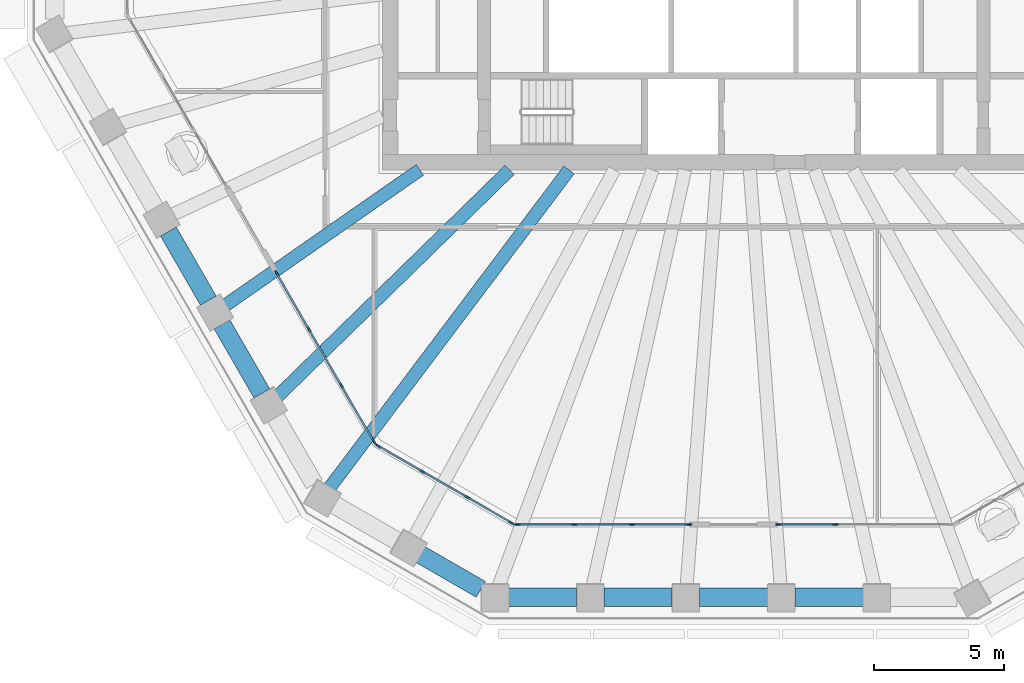
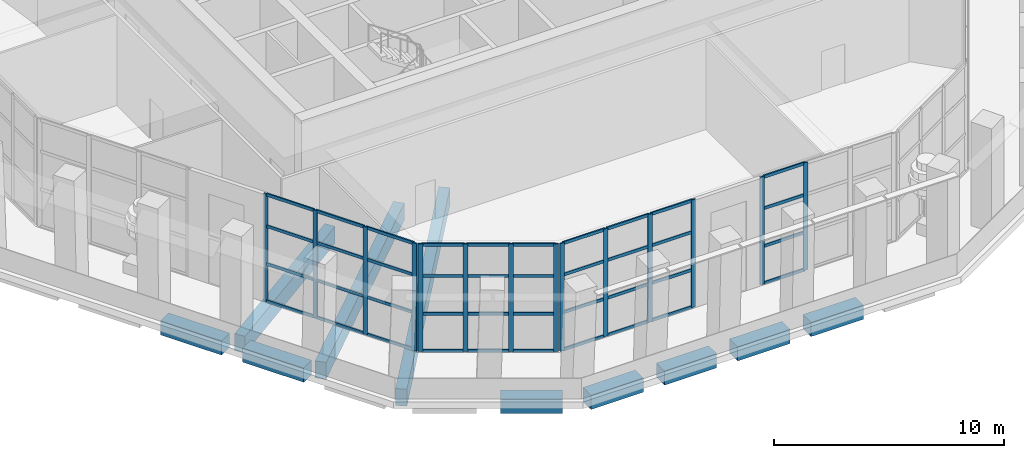
# One storey, part 2 of 19: 54 members, 10 beams, 4 elements without a shape of their own.
"""IFC4 building model written with IfcOpenShell, lengths in metres."""

from ifc_helpers import new_model, si_unit, direction, frame, origin, origin_2d, place, context, subcontext, project, spatial, rectangle, extrude, material, material_profile, profile_set, type_object, element, aggregate, save


model = new_model("IFC4")

# Units and contexts
model_context = context("Model", 3, precision=1e-05, world=origin(), true_north=direction((0.0, 1.0)))
body_context = subcontext(model_context, "Body", "Model", "MODEL_VIEW")
ifc_project = project(units=[si_unit("LENGTHUNIT", "METRE"), si_unit("AREAUNIT", "SQUARE_METRE"), si_unit("VOLUMEUNIT", "CUBIC_METRE"), si_unit("PLANEANGLEUNIT", "RADIAN"), si_unit("MASSUNIT", "GRAM", prefix="KILO")], contexts=[model_context])

# Site, building, storey
site_placement = place(None, origin())
site = spatial("IfcSite", under=ifc_project, at=site_placement, CompositionType="ELEMENT")
building_placement = place(site_placement, origin())
building = spatial("IfcBuilding", under=site, at=building_placement, Name="Frailejon Research Tower", CompositionType="ELEMENT")
storey_placement = place(building_placement, frame((0.0, 0.0, 231.39990234375)))
storey = spatial("IfcBuildingStorey", under=building, at=storey_placement, Name="L50", CompositionType="ELEMENT", Elevation=231.39990234375)

# Beams
ifc_material_1 = material(Name="Concrete C60/75", Category="concrete")
ifc_material_profile_1 = material_profile(ifc_material_1, rectangle(XDim=0.5, YDim=0.89990234375, at=origin_2d()), Name="Girder 500x900")
ifc_profile_set_1 = profile_set([ifc_material_profile_1], Name="Concrete C60/75")
beam_type_1 = type_object("IfcBeamType", Name="Girder 500x900", PredefinedType="BEAM", material=ifc_profile_set_1)
beam_1_placement = place(storey_placement, frame((-19.62060546875, -13.6650390625, -0.75), z_axis=(0.820584221604, 0.571525620821, 0.0), x_axis=(-0.571525620821, 0.820584221604, 0.0)))
element("IfcBeam", 1, at=beam_1_placement, inside=storey, type_object=beam_type_1, Name="Girder 500x900", PredefinedType="BEAM", context=body_context, shape_type="SweptSolid", body=[
    extrude(rectangle(XDim=0.5, YDim=0.89990234375, at=origin_2d()), origin(), (0.0, 0.0, 1.0), 9.21240234375),
])
beam_2_placement = place(storey_placement, frame((-17.59375, -17.16748046875, -0.75), z_axis=(0.71572694218, 0.698380228985, 0.0), x_axis=(-0.698380228985, 0.71572694218, 0.0)))
element("IfcBeam", 2, at=beam_2_placement, inside=storey, type_object=beam_type_1, Name="Girder 500x900", PredefinedType="BEAM", context=body_context, shape_type="SweptSolid", body=[
    extrude(rectangle(XDim=0.5, YDim=0.89990234375, at=origin_2d()), origin(), (0.0, 0.0, 1.0), 12.55419921875),
])
beam_3_placement = place(storey_placement, frame((-15.59033203125, -20.69921875, -0.75), z_axis=(0.601617333981, 0.798784441169, 0.0), x_axis=(-0.798784441169, 0.601617333981, 0.0)))
element("IfcBeam", 3, at=beam_3_placement, inside=storey, type_object=beam_type_1, Name="Girder 500x900", PredefinedType="BEAM", context=body_context, shape_type="SweptSolid", body=[
    extrude(rectangle(XDim=0.5, YDim=0.89990234375, at=origin_2d()), origin(), (0.0, 0.0, 1.0), 15.3974609375),
])

# Curtain wall, members
ifc_material_2 = material(Name="Aluminium curtain wall", Category="aluminium")
curtain_wall_type = type_object("IfcCurtainWallType", Name="Sky lobby curtain wall system", PredefinedType="NOTDEFINED", material=ifc_material_2)
curtain_wall_1_placement = place(storey_placement, origin())
curtain_wall_1 = element("IfcCurtainWall", 4, at=curtain_wall_1_placement, inside=storey, type_object=curtain_wall_type, Name="Curtain wall L50", PredefinedType="NOTDEFINED")
ifc_material_3 = material(Name="Aluminium extrusion", Category="aluminium")
ifc_material_profile_2 = material_profile(ifc_material_3, rectangle(XDim=0.070068359375, YDim=0.219970703125, at=origin_2d()), Name="Sky lobby curtain wall mullion 70x220")
ifc_profile_set_2 = profile_set([ifc_material_profile_2], Name="Aluminium extrusion")
member_type_1 = type_object("IfcMemberType", Name="Sky lobby curtain wall mullion 70x220", PredefinedType="MULLION", material=ifc_profile_set_2)
member_1_placement = place(storey_placement, frame((-17.5625, -12.380615234375, 0.0), z_axis=(0.0, 0.0, 1.0), x_axis=(0.866025100961, 0.500000524505, 0.0)))
member_1 = element("IfcMember", 5, at=member_1_placement, type_object=member_type_1, Name="CW4-110 mullion 1", PredefinedType="MULLION", context=body_context, shape_type="SweptSolid", body=[
    extrude(rectangle(XDim=0.070068359375, YDim=0.219970703125, at=origin_2d()), origin(), (0.0, 0.0, 1.0), 5.7001953125),
])
member_2_placement = place(storey_placement, frame((-16.326171875, -14.522216796875, 0.0), z_axis=(0.0, 0.0, 1.0), x_axis=(0.866025100961, 0.500000524505, 0.0)))
member_2 = element("IfcMember", 6, at=member_2_placement, type_object=member_type_1, Name="CW4-110 mullion 2", PredefinedType="MULLION", context=body_context, shape_type="SweptSolid", body=[
    extrude(rectangle(XDim=0.070068359375, YDim=0.219970703125, at=origin_2d()), origin(), (0.0, 0.0, 1.0), 5.7001953125),
])
member_3_placement = place(storey_placement, frame((-15.072509765625, -16.69384765625, 0.0), z_axis=(0.0, 0.0, 1.0), x_axis=(0.866025100961, 0.500000524505, 0.0)))
member_3 = element("IfcMember", 7, at=member_3_placement, type_object=member_type_1, Name="CW4-110 mullion 3", PredefinedType="MULLION", context=body_context, shape_type="SweptSolid", body=[
    extrude(rectangle(XDim=0.070068359375, YDim=0.219970703125, at=origin_2d()), origin(), (0.0, 0.0, 1.0), 5.7001953125),
])
member_4_placement = place(storey_placement, frame((-13.836181640625, -18.835205078125, 0.0), z_axis=(0.0, 0.0, 1.0), x_axis=(0.866025100961, 0.500000524505, 0.0)))
member_4 = element("IfcMember", 8, at=member_4_placement, type_object=member_type_1, Name="CW4-110 mullion 4", PredefinedType="MULLION", context=body_context, shape_type="SweptSolid", body=[
    extrude(rectangle(XDim=0.070068359375, YDim=0.219970703125, at=origin_2d()), origin(), (0.0, 0.0, 1.0), 5.7001953125),
])

curtain_wall_2_placement = place(storey_placement, origin())
curtain_wall_2 = element("IfcCurtainWall", 9, at=curtain_wall_2_placement, inside=storey, type_object=curtain_wall_type, Name="Curtain wall L50", PredefinedType="NOTDEFINED")
member_5_placement = place(storey_placement, frame((-13.651611328125, -19.01953125, 0.0), z_axis=(0.0, 0.0, 1.0), x_axis=(0.499990981974, 0.866030610282, 0.0)))
member_5 = element("IfcMember", 10, at=member_5_placement, type_object=member_type_1, Name="CW4-111 mullion 1", PredefinedType="MULLION", context=body_context, shape_type="SweptSolid", body=[
    extrude(rectangle(XDim=0.070068359375, YDim=0.219970703125, at=origin_2d()), origin(), (0.0, 0.0, 1.0), 5.7001953125),
])
member_6_placement = place(storey_placement, frame((-11.963623046875, -19.994140625, 0.0), z_axis=(0.0, 0.0, 1.0), x_axis=(0.499990981974, 0.866030610282, 0.0)))
member_6 = element("IfcMember", 11, at=member_6_placement, type_object=member_type_1, Name="CW4-111 mullion 2", PredefinedType="MULLION", context=body_context, shape_type="SweptSolid", body=[
    extrude(rectangle(XDim=0.070068359375, YDim=0.219970703125, at=origin_2d()), origin(), (0.0, 0.0, 1.0), 5.7001953125),
])
member_7_placement = place(storey_placement, frame((-10.2451171875, -20.986328125, 0.0), z_axis=(0.0, 0.0, 1.0), x_axis=(0.499990981974, 0.866030610282, 0.0)))
member_7 = element("IfcMember", 12, at=member_7_placement, type_object=member_type_1, Name="CW4-111 mullion 3", PredefinedType="MULLION", context=body_context, shape_type="SweptSolid", body=[
    extrude(rectangle(XDim=0.070068359375, YDim=0.219970703125, at=origin_2d()), origin(), (0.0, 0.0, 1.0), 5.7001953125),
])
member_8_placement = place(storey_placement, frame((-8.556884765625, -21.9609375, 0.0), z_axis=(0.0, 0.0, 1.0), x_axis=(0.499990981974, 0.866030610282, 0.0)))
member_8 = element("IfcMember", 13, at=member_8_placement, type_object=member_type_1, Name="CW4-111 mullion 4", PredefinedType="MULLION", context=body_context, shape_type="SweptSolid", body=[
    extrude(rectangle(XDim=0.070068359375, YDim=0.219970703125, at=origin_2d()), origin(), (0.0, 0.0, 1.0), 5.7001953125),
])

curtain_wall_3_placement = place(storey_placement, origin())
curtain_wall_3 = element("IfcCurtainWall", 14, at=curtain_wall_3_placement, inside=storey, type_object=curtain_wall_type, Name="Curtain wall L50", PredefinedType="NOTDEFINED")
member_9_placement = place(storey_placement, frame((-8.304931640625, -22.028564453125, 0.0), z_axis=(0.0, 0.0, 1.0), x_axis=(0.0, 1.0, 0.0)))
member_9 = element("IfcMember", 15, at=member_9_placement, type_object=member_type_1, Name="CW4-112 mullion 1", PredefinedType="MULLION", context=body_context, shape_type="SweptSolid", body=[
    extrude(rectangle(XDim=0.070068359375, YDim=0.219970703125, at=origin_2d()), origin(), (0.0, 0.0, 1.0), 5.7001953125),
])
member_10_placement = place(storey_placement, frame((-6.12255859375, -22.028564453125, 0.0), z_axis=(0.0, 0.0, 1.0), x_axis=(0.0, 1.0, 0.0)))
member_10 = element("IfcMember", 16, at=member_10_placement, type_object=member_type_1, Name="CW4-112 mullion 2", PredefinedType="MULLION", context=body_context, shape_type="SweptSolid", body=[
    extrude(rectangle(XDim=0.070068359375, YDim=0.219970703125, at=origin_2d()), origin(), (0.0, 0.0, 1.0), 5.7001953125),
])
member_11_placement = place(storey_placement, frame((-3.9052734375, -22.028564453125, 0.0), z_axis=(0.0, 0.0, 1.0), x_axis=(0.0, 1.0, 0.0)))
member_11 = element("IfcMember", 17, at=member_11_placement, type_object=member_type_1, Name="CW4-112 mullion 3", PredefinedType="MULLION", context=body_context, shape_type="SweptSolid", body=[
    extrude(rectangle(XDim=0.070068359375, YDim=0.219970703125, at=origin_2d()), origin(), (0.0, 0.0, 1.0), 5.7001953125),
])
member_12_placement = place(storey_placement, frame((-1.722900390625, -22.028564453125, 0.0), z_axis=(0.0, 0.0, 1.0), x_axis=(0.0, 1.0, 0.0)))
member_12 = element("IfcMember", 18, at=member_12_placement, type_object=member_type_1, Name="CW4-112 mullion 4", PredefinedType="MULLION", context=body_context, shape_type="SweptSolid", body=[
    extrude(rectangle(XDim=0.070068359375, YDim=0.219970703125, at=origin_2d()), origin(), (0.0, 0.0, 1.0), 5.7001953125),
])

curtain_wall_4_placement = place(storey_placement, origin())
curtain_wall_4 = element("IfcCurtainWall", 19, at=curtain_wall_4_placement, inside=storey, type_object=curtain_wall_type, Name="Curtain wall L50", PredefinedType="NOTDEFINED")
member_13_placement = place(storey_placement, frame((1.722900390625, -22.028564453125, 0.0), z_axis=(0.0, 0.0, 1.0), x_axis=(0.0, 1.0, 0.0)))
member_13 = element("IfcMember", 20, at=member_13_placement, type_object=member_type_1, Name="CW4-113 mullion 1", PredefinedType="MULLION", context=body_context, shape_type="SweptSolid", body=[
    extrude(rectangle(XDim=0.070068359375, YDim=0.219970703125, at=origin_2d()), origin(), (0.0, 0.0, 1.0), 5.7001953125),
])
member_14_placement = place(storey_placement, frame((3.9052734375, -22.028564453125, 0.0), z_axis=(0.0, 0.0, 1.0), x_axis=(0.0, 1.0, 0.0)))
member_14 = element("IfcMember", 21, at=member_14_placement, type_object=member_type_1, Name="CW4-113 mullion 2", PredefinedType="MULLION", context=body_context, shape_type="SweptSolid", body=[
    extrude(rectangle(XDim=0.070068359375, YDim=0.219970703125, at=origin_2d()), origin(), (0.0, 0.0, 1.0), 5.7001953125),
])

# Member
ifc_material_4 = material(Name="Aluminium extrusion", Category="aluminium")
ifc_material_profile_3 = material_profile(ifc_material_4, rectangle(XDim=0.070068359375, YDim=0.159912109375, at=origin_2d()), Name="Sky lobby curtain wall transom 70x160")
ifc_profile_set_3 = profile_set([ifc_material_profile_3], Name="Aluminium extrusion")
member_type_2 = type_object("IfcMemberType", Name="Sky lobby curtain wall transom 70x160", PredefinedType="USERDEFINED", material=ifc_profile_set_3)
member_15_placement = place(storey_placement, frame((-17.545166015625, -12.4111328125, 0.03515625), z_axis=(0.500062570482, -0.865989275686, 0.0), x_axis=(0.865989275686, 0.500062570482, 0.0)))
member_15 = element("IfcMember", 22, at=member_15_placement, type_object=member_type_2, Name="CW4-110 transom 1.1", ObjectType="TRANSOM", PredefinedType="USERDEFINED", context=body_context, shape_type="SweptSolid", body=[
    extrude(rectangle(XDim=0.070068359375, YDim=0.159912109375, at=origin_2d()), origin(), (0.0, 0.0, 1.0), 2.402587890625),
])

member_16_placement = place(storey_placement, frame((-17.545166015625, -12.4111328125, 2.0), z_axis=(0.500062570482, -0.865989275686, 0.0), x_axis=(0.865989275686, 0.500062570482, 0.0)))
member_16 = element("IfcMember", 23, at=member_16_placement, type_object=member_type_2, Name="CW4-110 transom 1.2", ObjectType="TRANSOM", PredefinedType="USERDEFINED", context=body_context, shape_type="SweptSolid", body=[
    extrude(rectangle(XDim=0.070068359375, YDim=0.159912109375, at=origin_2d()), origin(), (0.0, 0.0, 1.0), 2.402587890625),
])

member_17_placement = place(storey_placement, frame((-17.545166015625, -12.4111328125, 4.0), z_axis=(0.500062570482, -0.865989275686, 0.0), x_axis=(0.865989275686, 0.500062570482, 0.0)))
member_17 = element("IfcMember", 24, at=member_17_placement, type_object=member_type_2, Name="CW4-110 transom 1.3", ObjectType="TRANSOM", PredefinedType="USERDEFINED", context=body_context, shape_type="SweptSolid", body=[
    extrude(rectangle(XDim=0.070068359375, YDim=0.159912109375, at=origin_2d()), origin(), (0.0, 0.0, 1.0), 2.402587890625),
])

member_18_placement = place(storey_placement, frame((-17.545166015625, -12.4111328125, 5.6650390625), z_axis=(0.500062570482, -0.865989275686, 0.0), x_axis=(0.865989275686, 0.500062570482, 0.0)))
member_18 = element("IfcMember", 25, at=member_18_placement, type_object=member_type_2, Name="CW4-110 transom 1.4", ObjectType="TRANSOM", PredefinedType="USERDEFINED", context=body_context, shape_type="SweptSolid", body=[
    extrude(rectangle(XDim=0.070068359375, YDim=0.159912109375, at=origin_2d()), origin(), (0.0, 0.0, 1.0), 2.402587890625),
])

member_19_placement = place(storey_placement, frame((-16.308837890625, -14.552490234375, 0.03515625), z_axis=(0.500048989253, -0.865997117979, 0.0), x_axis=(0.865997117979, 0.500048989253, 0.0)))
member_19 = element("IfcMember", 26, at=member_19_placement, type_object=member_type_2, Name="CW4-110 transom 2.1", ObjectType="TRANSOM", PredefinedType="USERDEFINED", context=body_context, shape_type="SweptSolid", body=[
    extrude(rectangle(XDim=0.070068359375, YDim=0.159912109375, at=origin_2d()), origin(), (0.0, 0.0, 1.0), 2.437744140625),
])

member_20_placement = place(storey_placement, frame((-16.308837890625, -14.552490234375, 2.0), z_axis=(0.500048989253, -0.865997117979, 0.0), x_axis=(0.865997117979, 0.500048989253, 0.0)))
member_20 = element("IfcMember", 27, at=member_20_placement, type_object=member_type_2, Name="CW4-110 transom 2.2", ObjectType="TRANSOM", PredefinedType="USERDEFINED", context=body_context, shape_type="SweptSolid", body=[
    extrude(rectangle(XDim=0.070068359375, YDim=0.159912109375, at=origin_2d()), origin(), (0.0, 0.0, 1.0), 2.437744140625),
])

member_21_placement = place(storey_placement, frame((-16.308837890625, -14.552490234375, 4.0), z_axis=(0.500048989253, -0.865997117979, 0.0), x_axis=(0.865997117979, 0.500048989253, 0.0)))
member_21 = element("IfcMember", 28, at=member_21_placement, type_object=member_type_2, Name="CW4-110 transom 2.3", ObjectType="TRANSOM", PredefinedType="USERDEFINED", context=body_context, shape_type="SweptSolid", body=[
    extrude(rectangle(XDim=0.070068359375, YDim=0.159912109375, at=origin_2d()), origin(), (0.0, 0.0, 1.0), 2.437744140625),
])

member_22_placement = place(storey_placement, frame((-16.308837890625, -14.552490234375, 5.6650390625), z_axis=(0.500048989253, -0.865997117979, 0.0), x_axis=(0.865997117979, 0.500048989253, 0.0)))
member_22 = element("IfcMember", 29, at=member_22_placement, type_object=member_type_2, Name="CW4-110 transom 2.4", ObjectType="TRANSOM", PredefinedType="USERDEFINED", context=body_context, shape_type="SweptSolid", body=[
    extrude(rectangle(XDim=0.070068359375, YDim=0.159912109375, at=origin_2d()), origin(), (0.0, 0.0, 1.0), 2.437744140625),
])

member_23_placement = place(storey_placement, frame((-15.054931640625, -16.72412109375, 0.03515625), z_axis=(0.500018568119, -0.86601468321, 0.0), x_axis=(0.86601468321, 0.500018568119, 0.0)))
member_23 = element("IfcMember", 30, at=member_23_placement, type_object=member_type_2, Name="CW4-110 transom 3.1", ObjectType="TRANSOM", PredefinedType="USERDEFINED", context=body_context, shape_type="SweptSolid", body=[
    extrude(rectangle(XDim=0.070068359375, YDim=0.159912109375, at=origin_2d()), origin(), (0.0, 0.0, 1.0), 2.40283203125),
])

member_24_placement = place(storey_placement, frame((-15.054931640625, -16.72412109375, 2.0), z_axis=(0.500018568119, -0.86601468321, 0.0), x_axis=(0.86601468321, 0.500018568119, 0.0)))
member_24 = element("IfcMember", 31, at=member_24_placement, type_object=member_type_2, Name="CW4-110 transom 3.2", ObjectType="TRANSOM", PredefinedType="USERDEFINED", context=body_context, shape_type="SweptSolid", body=[
    extrude(rectangle(XDim=0.070068359375, YDim=0.159912109375, at=origin_2d()), origin(), (0.0, 0.0, 1.0), 2.40283203125),
])

member_25_placement = place(storey_placement, frame((-15.054931640625, -16.72412109375, 4.0), z_axis=(0.500018568119, -0.86601468321, 0.0), x_axis=(0.86601468321, 0.500018568119, 0.0)))
member_25 = element("IfcMember", 32, at=member_25_placement, type_object=member_type_2, Name="CW4-110 transom 3.3", ObjectType="TRANSOM", PredefinedType="USERDEFINED", context=body_context, shape_type="SweptSolid", body=[
    extrude(rectangle(XDim=0.070068359375, YDim=0.159912109375, at=origin_2d()), origin(), (0.0, 0.0, 1.0), 2.40283203125),
])

member_26_placement = place(storey_placement, frame((-15.054931640625, -16.72412109375, 5.6650390625), z_axis=(0.500018568119, -0.86601468321, 0.0), x_axis=(0.86601468321, 0.500018568119, 0.0)))
member_26 = element("IfcMember", 33, at=member_26_placement, type_object=member_type_2, Name="CW4-110 transom 3.4", ObjectType="TRANSOM", PredefinedType="USERDEFINED", context=body_context, shape_type="SweptSolid", body=[
    extrude(rectangle(XDim=0.070068359375, YDim=0.159912109375, at=origin_2d()), origin(), (0.0, 0.0, 1.0), 2.40283203125),
])

aggregate(curtain_wall_1, [member_1, member_2, member_3, member_4, member_15, member_16, member_17, member_18, member_19, member_20, member_21, member_22, member_23, member_24, member_25, member_26])

member_27_placement = place(storey_placement, frame((-13.621337890625, -19.037109375, 0.03515625), z_axis=(0.866003851672, -0.500037327496, 0.0), x_axis=(0.500037327496, 0.866003851672, 0.0)))
member_27 = element("IfcMember", 34, at=member_27_placement, type_object=member_type_2, Name="CW4-111 transom 1.1", ObjectType="TRANSOM", PredefinedType="USERDEFINED", context=body_context, shape_type="SweptSolid", body=[
    extrude(rectangle(XDim=0.070068359375, YDim=0.159912109375, at=origin_2d()), origin(), (0.0, 0.0, 1.0), 1.879150390625),
])

member_28_placement = place(storey_placement, frame((-13.621337890625, -19.037109375, 2.0), z_axis=(0.866003851672, -0.500037327496, 0.0), x_axis=(0.500037327496, 0.866003851672, 0.0)))
member_28 = element("IfcMember", 35, at=member_28_placement, type_object=member_type_2, Name="CW4-111 transom 1.2", ObjectType="TRANSOM", PredefinedType="USERDEFINED", context=body_context, shape_type="SweptSolid", body=[
    extrude(rectangle(XDim=0.070068359375, YDim=0.159912109375, at=origin_2d()), origin(), (0.0, 0.0, 1.0), 1.879150390625),
])

member_29_placement = place(storey_placement, frame((-13.621337890625, -19.037109375, 4.0), z_axis=(0.866003851672, -0.500037327496, 0.0), x_axis=(0.500037327496, 0.866003851672, 0.0)))
member_29 = element("IfcMember", 36, at=member_29_placement, type_object=member_type_2, Name="CW4-111 transom 1.3", ObjectType="TRANSOM", PredefinedType="USERDEFINED", context=body_context, shape_type="SweptSolid", body=[
    extrude(rectangle(XDim=0.070068359375, YDim=0.159912109375, at=origin_2d()), origin(), (0.0, 0.0, 1.0), 1.879150390625),
])

member_30_placement = place(storey_placement, frame((-13.621337890625, -19.037109375, 5.6650390625), z_axis=(0.866003851672, -0.500037327496, 0.0), x_axis=(0.500037327496, 0.866003851672, 0.0)))
member_30 = element("IfcMember", 37, at=member_30_placement, type_object=member_type_2, Name="CW4-111 transom 1.4", ObjectType="TRANSOM", PredefinedType="USERDEFINED", context=body_context, shape_type="SweptSolid", body=[
    extrude(rectangle(XDim=0.070068359375, YDim=0.159912109375, at=origin_2d()), origin(), (0.0, 0.0, 1.0), 1.879150390625),
])

member_31_placement = place(storey_placement, frame((-11.93310546875, -20.01171875, 0.03515625), z_axis=(0.866036909293, -0.499980071345, 0.0), x_axis=(0.499980071345, 0.866036909293, 0.0)))
member_31 = element("IfcMember", 38, at=member_31_placement, type_object=member_type_2, Name="CW4-111 transom 2.1", ObjectType="TRANSOM", PredefinedType="USERDEFINED", context=body_context, shape_type="SweptSolid", body=[
    extrude(rectangle(XDim=0.070068359375, YDim=0.159912109375, at=origin_2d()), origin(), (0.0, 0.0, 1.0), 1.9140625),
])

member_32_placement = place(storey_placement, frame((-11.93310546875, -20.01171875, 2.0), z_axis=(0.866036909293, -0.499980071345, 0.0), x_axis=(0.499980071345, 0.866036909293, 0.0)))
member_32 = element("IfcMember", 39, at=member_32_placement, type_object=member_type_2, Name="CW4-111 transom 2.2", ObjectType="TRANSOM", PredefinedType="USERDEFINED", context=body_context, shape_type="SweptSolid", body=[
    extrude(rectangle(XDim=0.070068359375, YDim=0.159912109375, at=origin_2d()), origin(), (0.0, 0.0, 1.0), 1.9140625),
])

member_33_placement = place(storey_placement, frame((-11.93310546875, -20.01171875, 4.0), z_axis=(0.866036909293, -0.499980071345, 0.0), x_axis=(0.499980071345, 0.866036909293, 0.0)))
member_33 = element("IfcMember", 40, at=member_33_placement, type_object=member_type_2, Name="CW4-111 transom 2.3", ObjectType="TRANSOM", PredefinedType="USERDEFINED", context=body_context, shape_type="SweptSolid", body=[
    extrude(rectangle(XDim=0.070068359375, YDim=0.159912109375, at=origin_2d()), origin(), (0.0, 0.0, 1.0), 1.9140625),
])

member_34_placement = place(storey_placement, frame((-11.93310546875, -20.01171875, 5.6650390625), z_axis=(0.866036909293, -0.499980071345, 0.0), x_axis=(0.499980071345, 0.866036909293, 0.0)))
member_34 = element("IfcMember", 41, at=member_34_placement, type_object=member_type_2, Name="CW4-111 transom 2.4", ObjectType="TRANSOM", PredefinedType="USERDEFINED", context=body_context, shape_type="SweptSolid", body=[
    extrude(rectangle(XDim=0.070068359375, YDim=0.159912109375, at=origin_2d()), origin(), (0.0, 0.0, 1.0), 1.9140625),
])

member_35_placement = place(storey_placement, frame((-10.21484375, -21.00390625, 0.03515625), z_axis=(0.866036329433, -0.499981075744, 0.0), x_axis=(0.499981075744, 0.866036329433, 0.0)))
member_35 = element("IfcMember", 42, at=member_35_placement, type_object=member_type_2, Name="CW4-111 transom 3.1", ObjectType="TRANSOM", PredefinedType="USERDEFINED", context=body_context, shape_type="SweptSolid", body=[
    extrude(rectangle(XDim=0.070068359375, YDim=0.159912109375, at=origin_2d()), origin(), (0.0, 0.0, 1.0), 1.87939453125),
])

member_36_placement = place(storey_placement, frame((-10.21484375, -21.00390625, 2.0), z_axis=(0.866036329433, -0.499981075744, 0.0), x_axis=(0.499981075744, 0.866036329433, 0.0)))
member_36 = element("IfcMember", 43, at=member_36_placement, type_object=member_type_2, Name="CW4-111 transom 3.2", ObjectType="TRANSOM", PredefinedType="USERDEFINED", context=body_context, shape_type="SweptSolid", body=[
    extrude(rectangle(XDim=0.070068359375, YDim=0.159912109375, at=origin_2d()), origin(), (0.0, 0.0, 1.0), 1.87939453125),
])

member_37_placement = place(storey_placement, frame((-10.21484375, -21.00390625, 4.0), z_axis=(0.866036329433, -0.499981075744, 0.0), x_axis=(0.499981075744, 0.866036329433, 0.0)))
member_37 = element("IfcMember", 44, at=member_37_placement, type_object=member_type_2, Name="CW4-111 transom 3.3", ObjectType="TRANSOM", PredefinedType="USERDEFINED", context=body_context, shape_type="SweptSolid", body=[
    extrude(rectangle(XDim=0.070068359375, YDim=0.159912109375, at=origin_2d()), origin(), (0.0, 0.0, 1.0), 1.87939453125),
])

member_38_placement = place(storey_placement, frame((-10.21484375, -21.00390625, 5.6650390625), z_axis=(0.866036329433, -0.499981075744, 0.0), x_axis=(0.499981075744, 0.866036329433, 0.0)))
member_38 = element("IfcMember", 45, at=member_38_placement, type_object=member_type_2, Name="CW4-111 transom 3.4", ObjectType="TRANSOM", PredefinedType="USERDEFINED", context=body_context, shape_type="SweptSolid", body=[
    extrude(rectangle(XDim=0.070068359375, YDim=0.159912109375, at=origin_2d()), origin(), (0.0, 0.0, 1.0), 1.87939453125),
])

aggregate(curtain_wall_2, [member_5, member_6, member_7, member_8, member_27, member_28, member_29, member_30, member_31, member_32, member_33, member_34, member_35, member_36, member_37, member_38])

member_39_placement = place(storey_placement, frame((-8.27001953125, -22.028564453125, 0.03515625), z_axis=(1.0, 0.0, 0.0), x_axis=(0.0, 1.0, 0.0)))
member_39 = element("IfcMember", 46, at=member_39_placement, type_object=member_type_2, Name="CW4-112 transom 1.1", ObjectType="TRANSOM", PredefinedType="USERDEFINED", context=body_context, shape_type="SweptSolid", body=[
    extrude(rectangle(XDim=0.070068359375, YDim=0.159912109375, at=origin_2d()), origin(), (0.0, 0.0, 1.0), 2.1123046875),
])

member_40_placement = place(storey_placement, frame((-8.27001953125, -22.028564453125, 2.0), z_axis=(1.0, 0.0, 0.0), x_axis=(0.0, 1.0, 0.0)))
member_40 = element("IfcMember", 47, at=member_40_placement, type_object=member_type_2, Name="CW4-112 transom 1.2", ObjectType="TRANSOM", PredefinedType="USERDEFINED", context=body_context, shape_type="SweptSolid", body=[
    extrude(rectangle(XDim=0.070068359375, YDim=0.159912109375, at=origin_2d()), origin(), (0.0, 0.0, 1.0), 2.1123046875),
])

member_41_placement = place(storey_placement, frame((-8.27001953125, -22.028564453125, 4.0), z_axis=(1.0, 0.0, 0.0), x_axis=(0.0, 1.0, 0.0)))
member_41 = element("IfcMember", 48, at=member_41_placement, type_object=member_type_2, Name="CW4-112 transom 1.3", ObjectType="TRANSOM", PredefinedType="USERDEFINED", context=body_context, shape_type="SweptSolid", body=[
    extrude(rectangle(XDim=0.070068359375, YDim=0.159912109375, at=origin_2d()), origin(), (0.0, 0.0, 1.0), 2.1123046875),
])

member_42_placement = place(storey_placement, frame((-8.27001953125, -22.028564453125, 5.6650390625), z_axis=(1.0, 0.0, 0.0), x_axis=(0.0, 1.0, 0.0)))
member_42 = element("IfcMember", 49, at=member_42_placement, type_object=member_type_2, Name="CW4-112 transom 1.4", ObjectType="TRANSOM", PredefinedType="USERDEFINED", context=body_context, shape_type="SweptSolid", body=[
    extrude(rectangle(XDim=0.070068359375, YDim=0.159912109375, at=origin_2d()), origin(), (0.0, 0.0, 1.0), 2.1123046875),
])

member_43_placement = place(storey_placement, frame((-6.087646484375, -22.028564453125, 0.03515625), z_axis=(1.0, 0.0, 0.0), x_axis=(0.0, 1.0, 0.0)))
member_43 = element("IfcMember", 50, at=member_43_placement, type_object=member_type_2, Name="CW4-112 transom 2.1", ObjectType="TRANSOM", PredefinedType="USERDEFINED", context=body_context, shape_type="SweptSolid", body=[
    extrude(rectangle(XDim=0.070068359375, YDim=0.159912109375, at=origin_2d()), origin(), (0.0, 0.0, 1.0), 2.147216796875),
])

member_44_placement = place(storey_placement, frame((-6.087646484375, -22.028564453125, 2.0), z_axis=(1.0, 0.0, 0.0), x_axis=(0.0, 1.0, 0.0)))
member_44 = element("IfcMember", 51, at=member_44_placement, type_object=member_type_2, Name="CW4-112 transom 2.2", ObjectType="TRANSOM", PredefinedType="USERDEFINED", context=body_context, shape_type="SweptSolid", body=[
    extrude(rectangle(XDim=0.070068359375, YDim=0.159912109375, at=origin_2d()), origin(), (0.0, 0.0, 1.0), 2.147216796875),
])

member_45_placement = place(storey_placement, frame((-6.087646484375, -22.028564453125, 4.0), z_axis=(1.0, 0.0, 0.0), x_axis=(0.0, 1.0, 0.0)))
member_45 = element("IfcMember", 52, at=member_45_placement, type_object=member_type_2, Name="CW4-112 transom 2.3", ObjectType="TRANSOM", PredefinedType="USERDEFINED", context=body_context, shape_type="SweptSolid", body=[
    extrude(rectangle(XDim=0.070068359375, YDim=0.159912109375, at=origin_2d()), origin(), (0.0, 0.0, 1.0), 2.147216796875),
])

member_46_placement = place(storey_placement, frame((-6.087646484375, -22.028564453125, 5.6650390625), z_axis=(1.0, 0.0, 0.0), x_axis=(0.0, 1.0, 0.0)))
member_46 = element("IfcMember", 53, at=member_46_placement, type_object=member_type_2, Name="CW4-112 transom 2.4", ObjectType="TRANSOM", PredefinedType="USERDEFINED", context=body_context, shape_type="SweptSolid", body=[
    extrude(rectangle(XDim=0.070068359375, YDim=0.159912109375, at=origin_2d()), origin(), (0.0, 0.0, 1.0), 2.147216796875),
])

member_47_placement = place(storey_placement, frame((-3.870361328125, -22.028564453125, 0.03515625), z_axis=(1.0, 0.0, 0.0), x_axis=(0.0, 1.0, 0.0)))
member_47 = element("IfcMember", 54, at=member_47_placement, type_object=member_type_2, Name="CW4-112 transom 3.1", ObjectType="TRANSOM", PredefinedType="USERDEFINED", context=body_context, shape_type="SweptSolid", body=[
    extrude(rectangle(XDim=0.070068359375, YDim=0.159912109375, at=origin_2d()), origin(), (0.0, 0.0, 1.0), 2.1123046875),
])

member_48_placement = place(storey_placement, frame((-3.870361328125, -22.028564453125, 2.0), z_axis=(1.0, 0.0, 0.0), x_axis=(0.0, 1.0, 0.0)))
member_48 = element("IfcMember", 55, at=member_48_placement, type_object=member_type_2, Name="CW4-112 transom 3.2", ObjectType="TRANSOM", PredefinedType="USERDEFINED", context=body_context, shape_type="SweptSolid", body=[
    extrude(rectangle(XDim=0.070068359375, YDim=0.159912109375, at=origin_2d()), origin(), (0.0, 0.0, 1.0), 2.1123046875),
])

member_49_placement = place(storey_placement, frame((-3.870361328125, -22.028564453125, 4.0), z_axis=(1.0, 0.0, 0.0), x_axis=(0.0, 1.0, 0.0)))
member_49 = element("IfcMember", 56, at=member_49_placement, type_object=member_type_2, Name="CW4-112 transom 3.3", ObjectType="TRANSOM", PredefinedType="USERDEFINED", context=body_context, shape_type="SweptSolid", body=[
    extrude(rectangle(XDim=0.070068359375, YDim=0.159912109375, at=origin_2d()), origin(), (0.0, 0.0, 1.0), 2.1123046875),
])

member_50_placement = place(storey_placement, frame((-3.870361328125, -22.028564453125, 5.6650390625), z_axis=(1.0, 0.0, 0.0), x_axis=(0.0, 1.0, 0.0)))
member_50 = element("IfcMember", 57, at=member_50_placement, type_object=member_type_2, Name="CW4-112 transom 3.4", ObjectType="TRANSOM", PredefinedType="USERDEFINED", context=body_context, shape_type="SweptSolid", body=[
    extrude(rectangle(XDim=0.070068359375, YDim=0.159912109375, at=origin_2d()), origin(), (0.0, 0.0, 1.0), 2.1123046875),
])

aggregate(curtain_wall_3, [member_9, member_10, member_11, member_12, member_39, member_40, member_41, member_42, member_43, member_44, member_45, member_46, member_47, member_48, member_49, member_50])

member_51_placement = place(storey_placement, frame((1.758056640625, -22.028564453125, 0.03515625), z_axis=(1.0, 0.0, 0.0), x_axis=(0.0, 1.0, 0.0)))
member_51 = element("IfcMember", 58, at=member_51_placement, type_object=member_type_2, Name="CW4-113 transom 1.1", ObjectType="TRANSOM", PredefinedType="USERDEFINED", context=body_context, shape_type="SweptSolid", body=[
    extrude(rectangle(XDim=0.070068359375, YDim=0.159912109375, at=origin_2d()), origin(), (0.0, 0.0, 1.0), 2.1123046875),
])

member_52_placement = place(storey_placement, frame((1.758056640625, -22.028564453125, 2.0), z_axis=(1.0, 0.0, 0.0), x_axis=(0.0, 1.0, 0.0)))
member_52 = element("IfcMember", 59, at=member_52_placement, type_object=member_type_2, Name="CW4-113 transom 1.2", ObjectType="TRANSOM", PredefinedType="USERDEFINED", context=body_context, shape_type="SweptSolid", body=[
    extrude(rectangle(XDim=0.070068359375, YDim=0.159912109375, at=origin_2d()), origin(), (0.0, 0.0, 1.0), 2.1123046875),
])

member_53_placement = place(storey_placement, frame((1.758056640625, -22.028564453125, 4.0), z_axis=(1.0, 0.0, 0.0), x_axis=(0.0, 1.0, 0.0)))
member_53 = element("IfcMember", 60, at=member_53_placement, type_object=member_type_2, Name="CW4-113 transom 1.3", ObjectType="TRANSOM", PredefinedType="USERDEFINED", context=body_context, shape_type="SweptSolid", body=[
    extrude(rectangle(XDim=0.070068359375, YDim=0.159912109375, at=origin_2d()), origin(), (0.0, 0.0, 1.0), 2.1123046875),
])

member_54_placement = place(storey_placement, frame((1.758056640625, -22.028564453125, 5.6650390625), z_axis=(1.0, 0.0, 0.0), x_axis=(0.0, 1.0, 0.0)))
member_54 = element("IfcMember", 61, at=member_54_placement, type_object=member_type_2, Name="CW4-113 transom 1.4", ObjectType="TRANSOM", PredefinedType="USERDEFINED", context=body_context, shape_type="SweptSolid", body=[
    extrude(rectangle(XDim=0.070068359375, YDim=0.159912109375, at=origin_2d()), origin(), (0.0, 0.0, 1.0), 2.1123046875),
])

aggregate(curtain_wall_4, [member_13, member_14, member_51, member_52, member_53, member_54])

# Beams
ifc_material_5 = material(Name="Concrete C60/75", Category="concrete")
ifc_material_profile_4 = material_profile(ifc_material_5, rectangle(XDim=0.699951171875, YDim=0.75, at=origin_2d()), Name="Spandrel 700x750")
ifc_profile_set_4 = profile_set([ifc_material_profile_4], Name="Concrete C60/75")
beam_type_2 = type_object("IfcBeamType", Name="Spandrel 700x750", PredefinedType="BEAM", material=ifc_profile_set_4)
beam_4_placement = place(storey_placement, frame((-21.72314453125, -10.7744140625, -0.724853515625), z_axis=(0.499998569178, -0.866026229868, 0.0), x_axis=(0.866026229868, 0.499998569178, 0.0)))
element("IfcBeam", 62, at=beam_4_placement, inside=storey, type_object=beam_type_2, Name="Spandrel 700x750", PredefinedType="BEAM", context=body_context, shape_type="SweptSolid", body=[
    extrude(rectangle(XDim=0.699951171875, YDim=0.75, at=origin_2d()), origin(), (0.0, 0.0, 1.0), 3.0615234375),
])
beam_5_placement = place(storey_placement, frame((-19.66748046875, -14.335205078125, -0.724853515625), z_axis=(0.500033101519, -0.86600629177, 0.0), x_axis=(0.86600629177, 0.500033101519, 0.0)))
element("IfcBeam", 63, at=beam_5_placement, inside=storey, type_object=beam_type_2, Name="Spandrel 700x750", PredefinedType="BEAM", context=body_context, shape_type="SweptSolid", body=[
    extrude(rectangle(XDim=0.699951171875, YDim=0.75, at=origin_2d()), origin(), (0.0, 0.0, 1.0), 3.061279296875),
])
beam_6_placement = place(storey_placement, frame((-12.049560546875, -23.177734375, -0.724853515625), z_axis=(0.866027204995, -0.499996880198, 0.0), x_axis=(0.499996880198, 0.866027204995, 0.0)))
element("IfcBeam", 64, at=beam_6_placement, inside=storey, type_object=beam_type_2, Name="Spandrel 700x750", PredefinedType="BEAM", context=body_context, shape_type="SweptSolid", body=[
    extrude(rectangle(XDim=0.699951171875, YDim=0.75, at=origin_2d()), origin(), (0.0, 0.0, 1.0), 2.6953125),
])
beam_7_placement = place(storey_placement, frame((-8.665283203125, -24.82861328125, -0.724853515625), z_axis=(1.0, 0.0, 0.0), x_axis=(0.0, 1.0, 0.0)))
element("IfcBeam", 65, at=beam_7_placement, inside=storey, type_object=beam_type_2, Name="Spandrel 700x750", PredefinedType="BEAM", context=body_context, shape_type="SweptSolid", body=[
    extrude(rectangle(XDim=0.699951171875, YDim=0.75, at=origin_2d()), origin(), (0.0, 0.0, 1.0), 2.6259765625),
])
beam_8_placement = place(storey_placement, frame((-4.9892578125, -24.82861328125, -0.724853515625), z_axis=(1.0, 0.0, 0.0), x_axis=(0.0, 1.0, 0.0)))
element("IfcBeam", 66, at=beam_8_placement, inside=storey, type_object=beam_type_2, Name="Spandrel 700x750", PredefinedType="BEAM", context=body_context, shape_type="SweptSolid", body=[
    extrude(rectangle(XDim=0.699951171875, YDim=0.75, at=origin_2d()), origin(), (0.0, 0.0, 1.0), 2.626220703125),
])
beam_9_placement = place(storey_placement, frame((-1.31298828125, -24.82861328125, -0.724853515625), z_axis=(1.0, 0.0, 0.0), x_axis=(0.0, 1.0, 0.0)))
element("IfcBeam", 67, at=beam_9_placement, inside=storey, type_object=beam_type_2, Name="Spandrel 700x750", PredefinedType="BEAM", context=body_context, shape_type="SweptSolid", body=[
    extrude(rectangle(XDim=0.699951171875, YDim=0.75, at=origin_2d()), origin(), (0.0, 0.0, 1.0), 2.6259765625),
])
beam_10_placement = place(storey_placement, frame((2.363037109375, -24.82861328125, -0.724853515625), z_axis=(1.0, 0.0, 0.0), x_axis=(0.0, 1.0, 0.0)))
element("IfcBeam", 68, at=beam_10_placement, inside=storey, type_object=beam_type_2, Name="Spandrel 700x750", PredefinedType="BEAM", context=body_context, shape_type="SweptSolid", body=[
    extrude(rectangle(XDim=0.699951171875, YDim=0.75, at=origin_2d()), origin(), (0.0, 0.0, 1.0), 2.626220703125),
])

save(model, "model.ifc")
